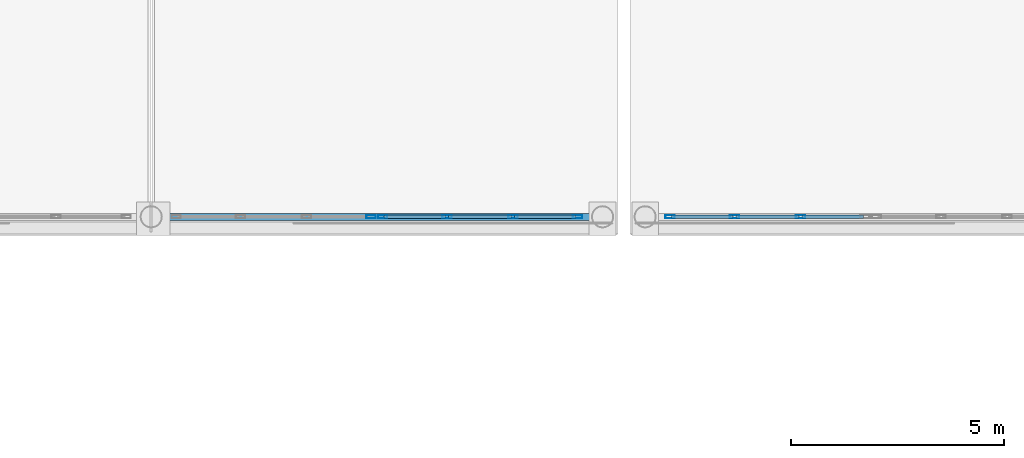
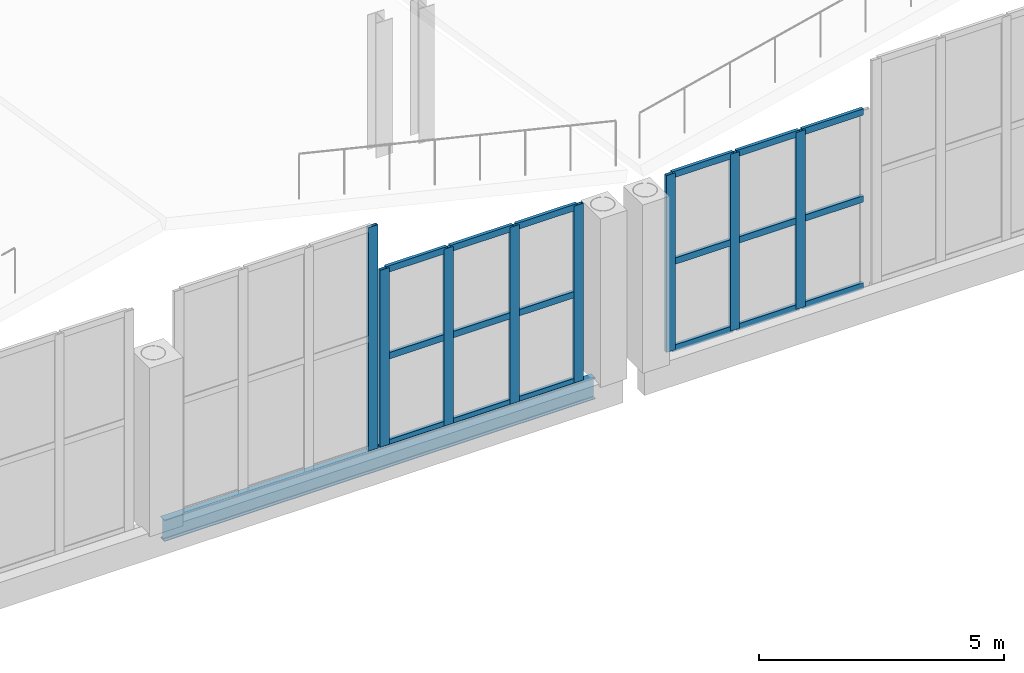
# One storey, part 34 of 120: 26 members, 1 beam, 3 elements without a shape of their own.
"""IFC4 building model written with IfcOpenShell, lengths in metres."""

from ifc_helpers import new_model, si_unit, direction, frame, origin, origin_2d, place, context, subcontext, project, spatial, hollow_rectangle, i_section, extrude, material, material_profile, profile_set, type_object, element, aggregate, save


model = new_model("IFC4")

# Units and contexts
model_context = context("Model", 3, precision=1e-05, world=origin(), true_north=direction((0.0, 1.0)))
body_context = subcontext(model_context, "Body", "Model", "MODEL_VIEW")
ifc_project = project(units=[si_unit("LENGTHUNIT", "METRE"), si_unit("AREAUNIT", "SQUARE_METRE"), si_unit("VOLUMEUNIT", "CUBIC_METRE"), si_unit("PLANEANGLEUNIT", "RADIAN"), si_unit("MASSUNIT", "GRAM", prefix="KILO")], contexts=[model_context])

# Site, building, storey
site_placement = place(None, origin())
site = spatial("IfcSite", under=ifc_project, at=site_placement, CompositionType="ELEMENT")
building_placement = place(site_placement, origin())
building = spatial("IfcBuilding", under=site, at=building_placement, Name="Caurita Quay Ferry Terminal", CompositionType="ELEMENT")
storey_placement = place(building_placement, frame((0.0, 0.0, 9.89990234375)))
storey = spatial("IfcBuildingStorey", under=building, at=storey_placement, Name="L02", CompositionType="ELEMENT", Elevation=9.89990234375)

# Beam
ifc_material_1 = material(Name="Structural steel ASTM A992 Gr. 50", Category="steel")
ifc_material_profile_1 = material_profile(ifc_material_1, i_section(OverallWidth=0.16650390625, OverallDepth=0.535888671875, WebThickness=0.01025390625, FlangeThickness=0.0166015625, FilletRadius=0.013916015625, at=origin_2d()), Name="W21X57")
ifc_profile_set_1 = profile_set([ifc_material_profile_1], Name="Structural steel ASTM A992 Gr. 50")
beam_type = type_object("IfcBeamType", Name="BM-SP-W21B", PredefinedType="SPANDREL", material=ifc_profile_set_1)
beam_placement = place(storey_placement, frame((77.219970703125, 34.60009765625, -0.267822265625), z_axis=(1.0, 0.0, 0.0), x_axis=(0.0, 1.0, 0.0)))
element("IfcBeam", 1, at=beam_placement, inside=storey, type_object=beam_type, Name="V1 Waterside Clerestory Sill Spandrel 77", PredefinedType="SPANDREL", context=body_context, shape_type="SweptSolid", body=[
    extrude(i_section(OverallWidth=0.16650390625, OverallDepth=0.535888671875, WebThickness=0.01025390625, FlangeThickness=0.0166015625, FilletRadius=0.013916015625, at=origin_2d()), origin(), (0.0, 0.0, 1.0), 10.159912109375),
])

# Curtain wall, member
ifc_material_2 = material(Name="Laminated solar-control insulated glass", Category="glass")
curtain_wall_type_1 = type_object("IfcCurtainWallType", Name="CW-SYS-03", PredefinedType="NOTDEFINED", material=ifc_material_2)
curtain_wall_1_placement = place(storey_placement, origin())
curtain_wall_1 = element("IfcCurtainWall", 2, at=curtain_wall_1_placement, inside=storey, type_object=curtain_wall_type_1, Name="Folded Roof Clerestory FB-04-S3", PredefinedType="NOTDEFINED")
ifc_material_3 = material(Name="Anodized aluminium 6063-T6", Category="aluminium")
ifc_material_profile_2 = material_profile(ifc_material_3, hollow_rectangle(XDim=0.074951171875, YDim=0.219970703125, WallThickness=0.00390625, at=origin_2d()), Name="ALU-MUL-75X220")
ifc_profile_set_2 = profile_set([ifc_material_profile_2], Name="Anodized aluminium 6063-T6")
member_type_1 = type_object("IfcMemberType", Name="CW-MUL-220", PredefinedType="MULLION", material=ifc_profile_set_2)
member_1_placement = place(storey_placement, frame((82.16259765625, 34.60009765625, 0.0), z_axis=(0.0, 0.0, 1.0), x_axis=(0.0, 1.0, 0.0)))
member_1 = element("IfcMember", 3, at=member_1_placement, type_object=member_type_1, Name="CW-CLR-027 Mullion 4", PredefinedType="MULLION", context=body_context, shape_type="SweptSolid", body=[
    extrude(hollow_rectangle(XDim=0.074951171875, YDim=0.219970703125, WallThickness=0.00390625, at=origin_2d()), origin(), (0.0, 0.0, 1.0), 5.572998046875),
])
aggregate(curtain_wall_1, [member_1])

# Curtain wall, members
curtain_wall_type_2 = type_object("IfcCurtainWallType", Name="CW-SYS-07", PredefinedType="NOTDEFINED", material=ifc_material_2)
curtain_wall_2_placement = place(storey_placement, origin())
curtain_wall_2 = element("IfcCurtainWall", 4, at=curtain_wall_2_placement, inside=storey, type_object=curtain_wall_type_2, Name="Folded Roof Clerestory FB-04-S4", PredefinedType="NOTDEFINED")
member_2_placement = place(storey_placement, frame((82.4375, 34.60009765625, 0.0), z_axis=(0.0, 0.0, 1.0), x_axis=(0.0, 1.0, 0.0)))
member_2 = element("IfcMember", 5, at=member_2_placement, type_object=member_type_1, Name="CW-CLR-028 Mullion 1", PredefinedType="MULLION", context=body_context, shape_type="SweptSolid", body=[
    extrude(hollow_rectangle(XDim=0.074951171875, YDim=0.219970703125, WallThickness=0.00390625, at=origin_2d()), origin(), (0.0, 0.0, 1.0), 4.4091796875),
])
member_3_placement = place(storey_placement, frame((83.949951171875, 34.60009765625, 0.0), z_axis=(0.0, 0.0, 1.0), x_axis=(0.0, 1.0, 0.0)))
member_3 = element("IfcMember", 6, at=member_3_placement, type_object=member_type_1, Name="CW-CLR-028 Mullion 2", PredefinedType="MULLION", context=body_context, shape_type="SweptSolid", body=[
    extrude(hollow_rectangle(XDim=0.074951171875, YDim=0.219970703125, WallThickness=0.00390625, at=origin_2d()), origin(), (0.0, 0.0, 1.0), 4.4091796875),
])
member_4_placement = place(storey_placement, frame((85.5, 34.60009765625, 0.0), z_axis=(0.0, 0.0, 1.0), x_axis=(0.0, 1.0, 0.0)))
member_4 = element("IfcMember", 7, at=member_4_placement, type_object=member_type_1, Name="CW-CLR-028 Mullion 3", PredefinedType="MULLION", context=body_context, shape_type="SweptSolid", body=[
    extrude(hollow_rectangle(XDim=0.074951171875, YDim=0.219970703125, WallThickness=0.00390625, at=origin_2d()), origin(), (0.0, 0.0, 1.0), 4.4091796875),
])
member_5_placement = place(storey_placement, frame((87.012451171875, 34.60009765625, 0.0), z_axis=(0.0, 0.0, 1.0), x_axis=(0.0, 1.0, 0.0)))
member_5 = element("IfcMember", 8, at=member_5_placement, type_object=member_type_1, Name="CW-CLR-028 Mullion 4", PredefinedType="MULLION", context=body_context, shape_type="SweptSolid", body=[
    extrude(hollow_rectangle(XDim=0.074951171875, YDim=0.219970703125, WallThickness=0.00390625, at=origin_2d()), origin(), (0.0, 0.0, 1.0), 4.4091796875),
])

curtain_wall_3_placement = place(storey_placement, origin())
curtain_wall_3 = element("IfcCurtainWall", 9, at=curtain_wall_3_placement, inside=storey, type_object=curtain_wall_type_2, Name="Folded Roof Clerestory FB-05-S1", PredefinedType="NOTDEFINED")
member_6_placement = place(storey_placement, frame((89.1875, 34.60009765625, 0.0), z_axis=(0.0, 0.0, 1.0), x_axis=(0.0, 1.0, 0.0)))
member_6 = element("IfcMember", 10, at=member_6_placement, type_object=member_type_1, Name="CW-CLR-033 Mullion 1", PredefinedType="MULLION", context=body_context, shape_type="SweptSolid", body=[
    extrude(hollow_rectangle(XDim=0.074951171875, YDim=0.219970703125, WallThickness=0.00390625, at=origin_2d()), origin(), (0.0, 0.0, 1.0), 4.4091796875),
])
member_7_placement = place(storey_placement, frame((90.699951171875, 34.60009765625, 0.0), z_axis=(0.0, 0.0, 1.0), x_axis=(0.0, 1.0, 0.0)))
member_7 = element("IfcMember", 11, at=member_7_placement, type_object=member_type_1, Name="CW-CLR-033 Mullion 2", PredefinedType="MULLION", context=body_context, shape_type="SweptSolid", body=[
    extrude(hollow_rectangle(XDim=0.074951171875, YDim=0.219970703125, WallThickness=0.00390625, at=origin_2d()), origin(), (0.0, 0.0, 1.0), 4.4091796875),
])
member_8_placement = place(storey_placement, frame((92.25, 34.60009765625, 0.0), z_axis=(0.0, 0.0, 1.0), x_axis=(0.0, 1.0, 0.0)))
member_8 = element("IfcMember", 12, at=member_8_placement, type_object=member_type_1, Name="CW-CLR-033 Mullion 3", PredefinedType="MULLION", context=body_context, shape_type="SweptSolid", body=[
    extrude(hollow_rectangle(XDim=0.074951171875, YDim=0.219970703125, WallThickness=0.00390625, at=origin_2d()), origin(), (0.0, 0.0, 1.0), 4.4091796875),
])

# Member
ifc_material_profile_3 = material_profile(ifc_material_3, hollow_rectangle(XDim=0.074951171875, YDim=0.159912109375, WallThickness=0.00390625, at=origin_2d()), Name="ALU-TRN-75X160")
ifc_profile_set_3 = profile_set([ifc_material_profile_3], Name="Anodized aluminium 6063-T6")
member_type_2 = type_object("IfcMemberType", Name="CW-TRN-160", PredefinedType="USERDEFINED", material=ifc_profile_set_3)
member_9_placement = place(storey_placement, frame((82.472900390625, 34.60009765625, 0.03759765625), z_axis=(1.0, 0.0, 0.0), x_axis=(0.0, 1.0, 0.0)))
member_9 = element("IfcMember", 13, at=member_9_placement, type_object=member_type_2, Name="CW-CLR-028 Transom 1", ObjectType="TRANSOM", PredefinedType="USERDEFINED", context=body_context, shape_type="SweptSolid", body=[
    extrude(hollow_rectangle(XDim=0.074951171875, YDim=0.159912109375, WallThickness=0.00390625, at=origin_2d()), origin(), (0.0, 0.0, 1.0), 1.441650390625),
])

member_10_placement = place(storey_placement, frame((82.472900390625, 34.60009765625, 2.20458984375), z_axis=(1.0, 0.0, 0.0), x_axis=(0.0, 1.0, 0.0)))
member_10 = element("IfcMember", 14, at=member_10_placement, type_object=member_type_2, Name="CW-CLR-028 Transom 2", ObjectType="TRANSOM", PredefinedType="USERDEFINED", context=body_context, shape_type="SweptSolid", body=[
    extrude(hollow_rectangle(XDim=0.074951171875, YDim=0.159912109375, WallThickness=0.00390625, at=origin_2d()), origin(), (0.0, 0.0, 1.0), 1.441650390625),
])

member_11_placement = place(storey_placement, frame((82.472900390625, 34.60009765625, 4.37158203125), z_axis=(1.0, 0.0, 0.0), x_axis=(0.0, 1.0, 0.0)))
member_11 = element("IfcMember", 15, at=member_11_placement, type_object=member_type_2, Name="CW-CLR-028 Transom 3", ObjectType="TRANSOM", PredefinedType="USERDEFINED", context=body_context, shape_type="SweptSolid", body=[
    extrude(hollow_rectangle(XDim=0.074951171875, YDim=0.159912109375, WallThickness=0.00390625, at=origin_2d()), origin(), (0.0, 0.0, 1.0), 1.441650390625),
])

member_12_placement = place(storey_placement, frame((83.985595703125, 34.60009765625, 0.03759765625), z_axis=(1.0, 0.0, 0.0), x_axis=(0.0, 1.0, 0.0)))
member_12 = element("IfcMember", 16, at=member_12_placement, type_object=member_type_2, Name="CW-CLR-028 Transom 4", ObjectType="TRANSOM", PredefinedType="USERDEFINED", context=body_context, shape_type="SweptSolid", body=[
    extrude(hollow_rectangle(XDim=0.074951171875, YDim=0.159912109375, WallThickness=0.00390625, at=origin_2d()), origin(), (0.0, 0.0, 1.0), 1.47900390625),
])

member_13_placement = place(storey_placement, frame((83.985595703125, 34.60009765625, 2.20458984375), z_axis=(1.0, 0.0, 0.0), x_axis=(0.0, 1.0, 0.0)))
member_13 = element("IfcMember", 17, at=member_13_placement, type_object=member_type_2, Name="CW-CLR-028 Transom 5", ObjectType="TRANSOM", PredefinedType="USERDEFINED", context=body_context, shape_type="SweptSolid", body=[
    extrude(hollow_rectangle(XDim=0.074951171875, YDim=0.159912109375, WallThickness=0.00390625, at=origin_2d()), origin(), (0.0, 0.0, 1.0), 1.47900390625),
])

member_14_placement = place(storey_placement, frame((83.985595703125, 34.60009765625, 4.37158203125), z_axis=(1.0, 0.0, 0.0), x_axis=(0.0, 1.0, 0.0)))
member_14 = element("IfcMember", 18, at=member_14_placement, type_object=member_type_2, Name="CW-CLR-028 Transom 6", ObjectType="TRANSOM", PredefinedType="USERDEFINED", context=body_context, shape_type="SweptSolid", body=[
    extrude(hollow_rectangle(XDim=0.074951171875, YDim=0.159912109375, WallThickness=0.00390625, at=origin_2d()), origin(), (0.0, 0.0, 1.0), 1.47900390625),
])

member_15_placement = place(storey_placement, frame((85.535400390625, 34.60009765625, 0.03759765625), z_axis=(1.0, 0.0, 0.0), x_axis=(0.0, 1.0, 0.0)))
member_15 = element("IfcMember", 19, at=member_15_placement, type_object=member_type_2, Name="CW-CLR-028 Transom 7", ObjectType="TRANSOM", PredefinedType="USERDEFINED", context=body_context, shape_type="SweptSolid", body=[
    extrude(hollow_rectangle(XDim=0.074951171875, YDim=0.159912109375, WallThickness=0.00390625, at=origin_2d()), origin(), (0.0, 0.0, 1.0), 1.441650390625),
])

member_16_placement = place(storey_placement, frame((85.535400390625, 34.60009765625, 2.20458984375), z_axis=(1.0, 0.0, 0.0), x_axis=(0.0, 1.0, 0.0)))
member_16 = element("IfcMember", 20, at=member_16_placement, type_object=member_type_2, Name="CW-CLR-028 Transom 8", ObjectType="TRANSOM", PredefinedType="USERDEFINED", context=body_context, shape_type="SweptSolid", body=[
    extrude(hollow_rectangle(XDim=0.074951171875, YDim=0.159912109375, WallThickness=0.00390625, at=origin_2d()), origin(), (0.0, 0.0, 1.0), 1.441650390625),
])

member_17_placement = place(storey_placement, frame((85.535400390625, 34.60009765625, 4.37158203125), z_axis=(1.0, 0.0, 0.0), x_axis=(0.0, 1.0, 0.0)))
member_17 = element("IfcMember", 21, at=member_17_placement, type_object=member_type_2, Name="CW-CLR-028 Transom 9", ObjectType="TRANSOM", PredefinedType="USERDEFINED", context=body_context, shape_type="SweptSolid", body=[
    extrude(hollow_rectangle(XDim=0.074951171875, YDim=0.159912109375, WallThickness=0.00390625, at=origin_2d()), origin(), (0.0, 0.0, 1.0), 1.441650390625),
])

aggregate(curtain_wall_2, [member_2, member_3, member_4, member_5, member_9, member_10, member_11, member_12, member_13, member_14, member_15, member_16, member_17])

member_18_placement = place(storey_placement, frame((89.222900390625, 34.60009765625, 0.03759765625), z_axis=(1.0, 0.0, 0.0), x_axis=(0.0, 1.0, 0.0)))
member_18 = element("IfcMember", 22, at=member_18_placement, type_object=member_type_2, Name="CW-CLR-033 Transom 1", ObjectType="TRANSOM", PredefinedType="USERDEFINED", context=body_context, shape_type="SweptSolid", body=[
    extrude(hollow_rectangle(XDim=0.074951171875, YDim=0.159912109375, WallThickness=0.00390625, at=origin_2d()), origin(), (0.0, 0.0, 1.0), 1.441650390625),
])

member_19_placement = place(storey_placement, frame((89.222900390625, 34.60009765625, 2.20458984375), z_axis=(1.0, 0.0, 0.0), x_axis=(0.0, 1.0, 0.0)))
member_19 = element("IfcMember", 23, at=member_19_placement, type_object=member_type_2, Name="CW-CLR-033 Transom 2", ObjectType="TRANSOM", PredefinedType="USERDEFINED", context=body_context, shape_type="SweptSolid", body=[
    extrude(hollow_rectangle(XDim=0.074951171875, YDim=0.159912109375, WallThickness=0.00390625, at=origin_2d()), origin(), (0.0, 0.0, 1.0), 1.441650390625),
])

member_20_placement = place(storey_placement, frame((89.222900390625, 34.60009765625, 4.37158203125), z_axis=(1.0, 0.0, 0.0), x_axis=(0.0, 1.0, 0.0)))
member_20 = element("IfcMember", 24, at=member_20_placement, type_object=member_type_2, Name="CW-CLR-033 Transom 3", ObjectType="TRANSOM", PredefinedType="USERDEFINED", context=body_context, shape_type="SweptSolid", body=[
    extrude(hollow_rectangle(XDim=0.074951171875, YDim=0.159912109375, WallThickness=0.00390625, at=origin_2d()), origin(), (0.0, 0.0, 1.0), 1.441650390625),
])

member_21_placement = place(storey_placement, frame((90.735595703125, 34.60009765625, 0.03759765625), z_axis=(1.0, 0.0, 0.0), x_axis=(0.0, 1.0, 0.0)))
member_21 = element("IfcMember", 25, at=member_21_placement, type_object=member_type_2, Name="CW-CLR-033 Transom 4", ObjectType="TRANSOM", PredefinedType="USERDEFINED", context=body_context, shape_type="SweptSolid", body=[
    extrude(hollow_rectangle(XDim=0.074951171875, YDim=0.159912109375, WallThickness=0.00390625, at=origin_2d()), origin(), (0.0, 0.0, 1.0), 1.47900390625),
])

member_22_placement = place(storey_placement, frame((90.735595703125, 34.60009765625, 2.20458984375), z_axis=(1.0, 0.0, 0.0), x_axis=(0.0, 1.0, 0.0)))
member_22 = element("IfcMember", 26, at=member_22_placement, type_object=member_type_2, Name="CW-CLR-033 Transom 5", ObjectType="TRANSOM", PredefinedType="USERDEFINED", context=body_context, shape_type="SweptSolid", body=[
    extrude(hollow_rectangle(XDim=0.074951171875, YDim=0.159912109375, WallThickness=0.00390625, at=origin_2d()), origin(), (0.0, 0.0, 1.0), 1.47900390625),
])

member_23_placement = place(storey_placement, frame((90.735595703125, 34.60009765625, 4.37158203125), z_axis=(1.0, 0.0, 0.0), x_axis=(0.0, 1.0, 0.0)))
member_23 = element("IfcMember", 27, at=member_23_placement, type_object=member_type_2, Name="CW-CLR-033 Transom 6", ObjectType="TRANSOM", PredefinedType="USERDEFINED", context=body_context, shape_type="SweptSolid", body=[
    extrude(hollow_rectangle(XDim=0.074951171875, YDim=0.159912109375, WallThickness=0.00390625, at=origin_2d()), origin(), (0.0, 0.0, 1.0), 1.47900390625),
])

member_24_placement = place(storey_placement, frame((92.285400390625, 34.60009765625, 0.03759765625), z_axis=(1.0, 0.0, 0.0), x_axis=(0.0, 1.0, 0.0)))
member_24 = element("IfcMember", 28, at=member_24_placement, type_object=member_type_2, Name="CW-CLR-033 Transom 7", ObjectType="TRANSOM", PredefinedType="USERDEFINED", context=body_context, shape_type="SweptSolid", body=[
    extrude(hollow_rectangle(XDim=0.074951171875, YDim=0.159912109375, WallThickness=0.00390625, at=origin_2d()), origin(), (0.0, 0.0, 1.0), 1.441650390625),
])

member_25_placement = place(storey_placement, frame((92.285400390625, 34.60009765625, 2.20458984375), z_axis=(1.0, 0.0, 0.0), x_axis=(0.0, 1.0, 0.0)))
member_25 = element("IfcMember", 29, at=member_25_placement, type_object=member_type_2, Name="CW-CLR-033 Transom 8", ObjectType="TRANSOM", PredefinedType="USERDEFINED", context=body_context, shape_type="SweptSolid", body=[
    extrude(hollow_rectangle(XDim=0.074951171875, YDim=0.159912109375, WallThickness=0.00390625, at=origin_2d()), origin(), (0.0, 0.0, 1.0), 1.441650390625),
])

member_26_placement = place(storey_placement, frame((92.285400390625, 34.60009765625, 4.37158203125), z_axis=(1.0, 0.0, 0.0), x_axis=(0.0, 1.0, 0.0)))
member_26 = element("IfcMember", 30, at=member_26_placement, type_object=member_type_2, Name="CW-CLR-033 Transom 9", ObjectType="TRANSOM", PredefinedType="USERDEFINED", context=body_context, shape_type="SweptSolid", body=[
    extrude(hollow_rectangle(XDim=0.074951171875, YDim=0.159912109375, WallThickness=0.00390625, at=origin_2d()), origin(), (0.0, 0.0, 1.0), 1.441650390625),
])

aggregate(curtain_wall_3, [member_6, member_7, member_8, member_18, member_19, member_20, member_21, member_22, member_23, member_24, member_25, member_26])

save(model, "model.ifc")
